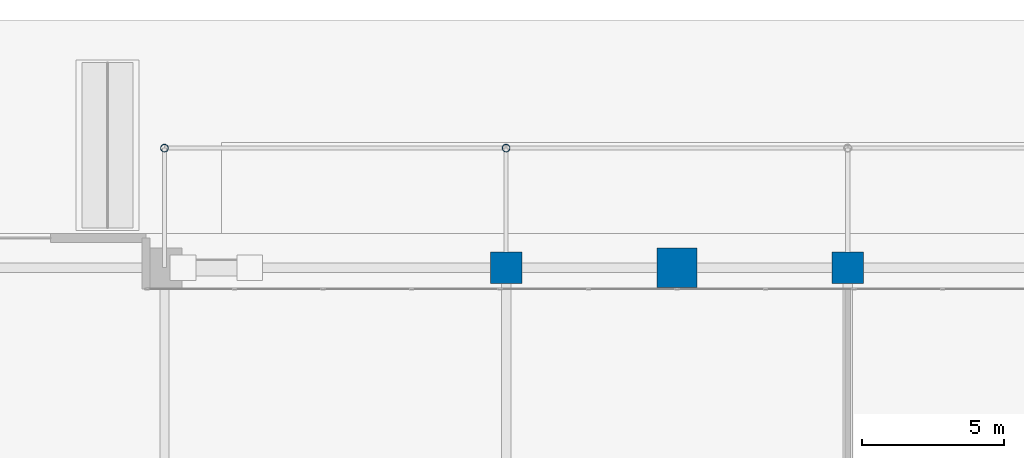
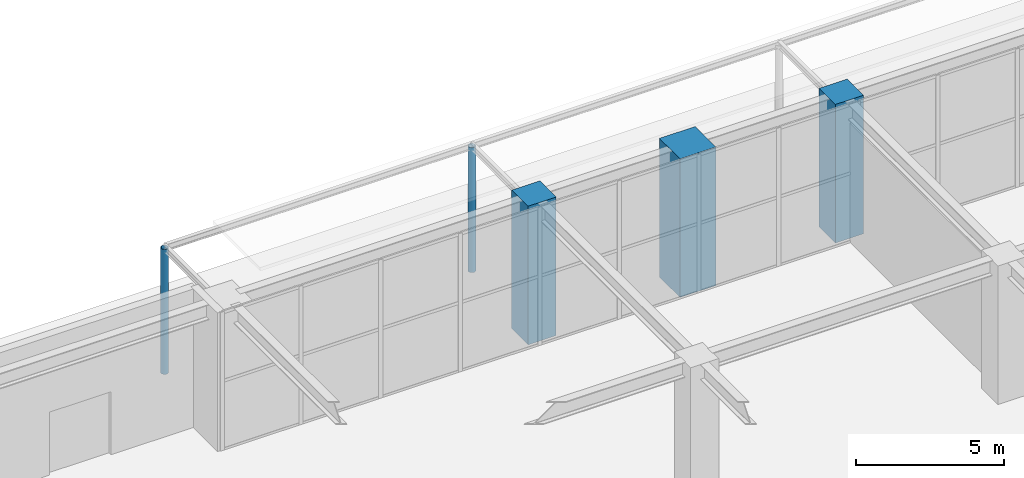
# One storey, part 8 of 49: 5 columns.
"""IFC4 building model written with IfcOpenShell, lengths in metres."""

from ifc_helpers import new_model, si_unit, direction, frame, origin, origin_2d, place, context, subcontext, project, spatial, rectangle, hollow_circle, extrude, material, material_profile, profile_set, type_object, element, save


model = new_model("IFC4")

# Units and contexts
model_context = context("Model", 3, precision=1e-05, world=origin(), true_north=direction((0.0, 1.0)))
body_context = subcontext(model_context, "Body", "Model", "MODEL_VIEW")
ifc_project = project(units=[si_unit("LENGTHUNIT", "METRE"), si_unit("AREAUNIT", "SQUARE_METRE"), si_unit("VOLUMEUNIT", "CUBIC_METRE"), si_unit("PLANEANGLEUNIT", "RADIAN"), si_unit("MASSUNIT", "GRAM", prefix="KILO")], contexts=[model_context])

# Site, building, storey
site_placement = place(None, origin())
site = spatial("IfcSite", under=ifc_project, at=site_placement, CompositionType="ELEMENT")
building_placement = place(site_placement, origin())
building = spatial("IfcBuilding", under=site, at=building_placement, Name="Sarneth Arch Tower", CompositionType="ELEMENT")
storey_placement = place(building_placement, origin())
storey = spatial("IfcBuildingStorey", under=building, at=storey_placement, Name="L00", CompositionType="ELEMENT", Elevation=0.0)

# Columns
ifc_material_1 = material(Name="Steel S355", Category="steel")
ifc_material_profile_1 = material_profile(ifc_material_1, hollow_circle(Radius=0.136474609375, WallThickness=0.010009765625, at=origin_2d()), Name="CHS273x10")
ifc_profile_set_1 = profile_set([ifc_material_profile_1], Name="Steel S355")
column_type_1 = type_object("IfcColumnType", Name="COL-CANOPY-273", PredefinedType="COLUMN", material=ifc_profile_set_1)
for number, where, z_axis, x_axis, name in (
    (1, (30.0, 79.0, 0.0), (0.0, 0.0, 1.0), (1.0, 0.0, 0.0), "Entrance canopy column NORTH.1"),
    (2, (42.0, 79.0, 0.0), (0.0, 0.0, 1.0), (1.0, 0.0, 0.0), "Entrance canopy column NORTH.2"),
):
    element("IfcColumn", number, at=place(storey_placement, frame(where, z_axis=z_axis, x_axis=x_axis)), inside=storey, type_object=column_type_1, Name=name, PredefinedType="COLUMN", context=body_context, shape_type="SweptSolid", body=[
        extrude(hollow_circle(Radius=0.136474609375, WallThickness=0.010009765625, at=origin_2d()), origin(), (0.0, 0.0, 1.0), 5.159912109375),
    ])
ifc_material_2 = material(Name="Concrete C60/75", Category="concrete")
ifc_material_profile_2 = material_profile(ifc_material_2, rectangle(XDim=1.10009765625, YDim=1.10009765625, at=origin_2d()), Name="RC-1100x1100")
ifc_profile_set_2 = profile_set([ifc_material_profile_2], Name="Concrete C60/75")
column_type_2 = type_object("IfcColumnType", Name="COL-RC-1100", PredefinedType="COLUMN", material=ifc_profile_set_2)
for number, where, z_axis, x_axis, name in (
    (3, (42.0, 74.800048828125, 0.0), (0.0, 0.0, 1.0), (1.0, 0.0, 0.0), "L00 Podium column PN04"),
    (4, (54.0, 74.800048828125, 0.0), (0.0, 0.0, 1.0), (1.0, 0.0, 0.0), "L00 Podium column PN05"),
):
    element("IfcColumn", number, at=place(storey_placement, frame(where, z_axis=z_axis, x_axis=x_axis)), inside=storey, type_object=column_type_2, Name=name, PredefinedType="COLUMN", context=body_context, shape_type="SweptSolid", body=[
        extrude(rectangle(XDim=1.10009765625, YDim=1.10009765625, at=origin_2d()), origin(), (0.0, 0.0, 1.0), 5.719970703125),
    ])
ifc_material_3 = material(Name="Concrete C60/75", Category="concrete")
ifc_material_profile_3 = material_profile(ifc_material_3, rectangle(XDim=1.39990234375, YDim=1.39990234375, at=origin_2d()), Name="RC-1400x1400")
ifc_profile_set_3 = profile_set([ifc_material_profile_3], Name="Concrete C60/75")
column_type_3 = type_object("IfcColumnType", Name="COL-RC-1400", PredefinedType="COLUMN", material=ifc_profile_set_3)
column_placement = place(storey_placement, frame((48.0, 74.800048828125, 0.0), z_axis=(0.0, 0.0, 1.0), x_axis=(1.0, 0.0, 0.0)))
element("IfcColumn", 5, at=column_placement, inside=storey, type_object=column_type_3, Name="L00 Podium column PX05", PredefinedType="COLUMN", context=body_context, shape_type="SweptSolid", body=[
    extrude(rectangle(XDim=1.39990234375, YDim=1.39990234375, at=origin_2d()), origin(), (0.0, 0.0, 1.0), 5.719970703125),
])

save(model, "model.ifc")
